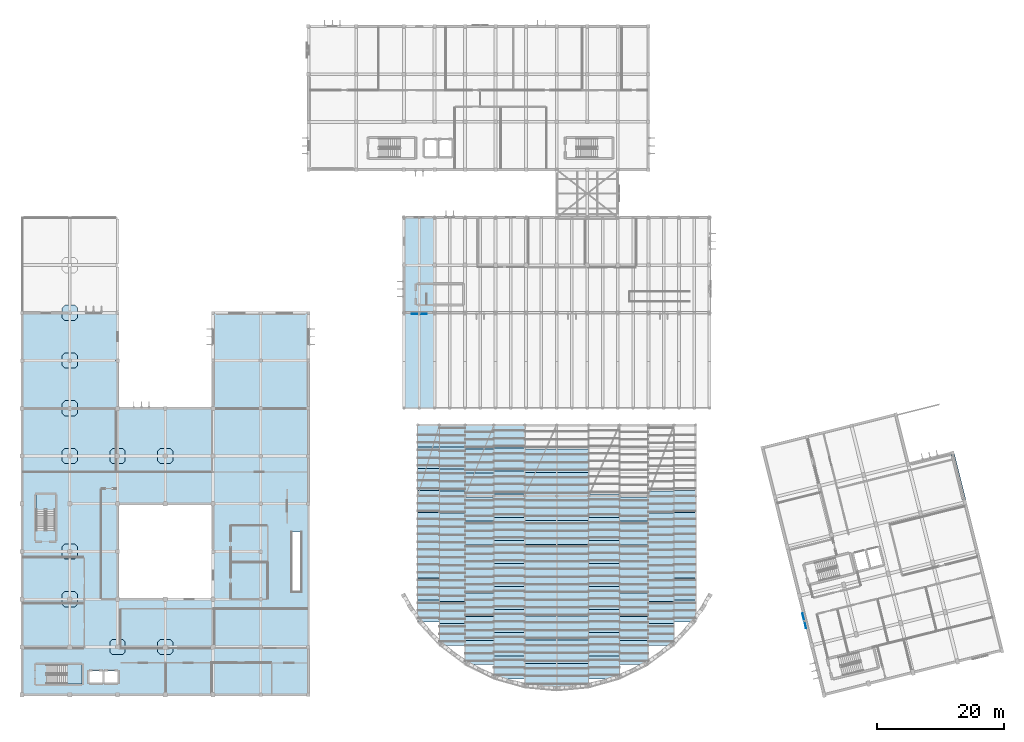
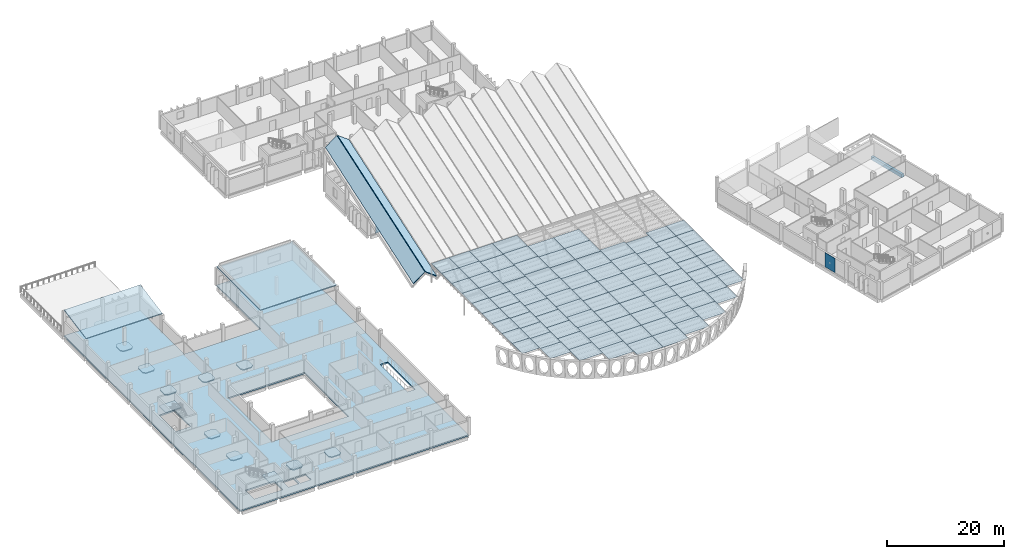
# One storey, part 19 of 47: 90 plates, 17 slabs, 1 beam, 2 elements without a shape of their own.
"""IFC4 building model written with IfcOpenShell, lengths in metres."""

from ifc_helpers import new_model, si_unit, direction, frame, origin, origin_2d, place, context, subcontext, project, spatial, polyline, rectangle, outline, extrude, material, layer, layer_set, material_profile, profile_set, type_object, element, aggregate, save


model = new_model("IFC4")

# Units and contexts
model_context = context("Model", 3, precision=1e-05, world=origin(), true_north=direction((0.0, 1.0)))
body_context = subcontext(model_context, "Body", "Model", "MODEL_VIEW")
ifc_project = project(units=[si_unit("LENGTHUNIT", "METRE"), si_unit("AREAUNIT", "SQUARE_METRE"), si_unit("VOLUMEUNIT", "CUBIC_METRE"), si_unit("PLANEANGLEUNIT", "RADIAN"), si_unit("MASSUNIT", "GRAM", prefix="KILO")], contexts=[model_context])

# Site, building, storey
site_placement = place(None, origin())
site = spatial("IfcSite", under=ifc_project, at=site_placement, CompositionType="ELEMENT")
building_placement = place(site_placement, origin())
building = spatial("IfcBuilding", under=site, at=building_placement, Name="Mawjan Specialist Oncology Clinic", CompositionType="ELEMENT")
storey_placement = place(building_placement, frame((0.0, 0.0, 9.5)))
storey = spatial("IfcBuildingStorey", under=building, at=storey_placement, Name="L02", CompositionType="ELEMENT", Elevation=9.5)

# Beam
ifc_material_1 = material(Name="Concrete C45/55", Category="concrete")
ifc_material_profile = material_profile(ifc_material_1, rectangle(XDim=0.5, YDim=0.699951171875, at=origin_2d()), Name="RC BM 500x700", Category="concrete")
ifc_profile_set = profile_set([ifc_material_profile], Name="Concrete C45/55")
beam_type = type_object("IfcBeamType", Name="SP-500x700", PredefinedType="SPANDREL", material=ifc_profile_set)
beam_placement = place(storey_placement, frame((148.08154296875, 31.282470703125, -0.64990234375), z_axis=(-0.241932910606, 0.97029297986, 0.0), x_axis=(-0.97029297986, -0.241932910606, 0.0)))
element("IfcBeam", 1, at=beam_placement, inside=storey, type_object=beam_type, Name="L02 Spandrel Beam BM-L02-0894", PredefinedType="SPANDREL", context=body_context, shape_type="SweptSolid", body=[
    extrude(rectangle(XDim=0.5, YDim=0.699951171875, at=origin_2d()), origin(), (0.0, 0.0, 1.0), 7.530029296875),
])

# Plates
ifc_material_2 = material(Name="Laminated solar-control safety glass", Category="glass")
ifc_layer_1 = layer(ifc_material_2, 0.028076171875, Name="Laminated solar-control safety glass", Category="glass")
ifc_layer_set_1 = layer_set([ifc_layer_1], Name="Laminated solar-control safety glass")
plate_type_1 = type_object("IfcPlateType", Name="CG-28", PredefinedType="SHEET", material=ifc_layer_set_1)
for number, where, z_axis, x_axis, name in (
    (2, (63.863037109375, 13.9560546875, 3.89990234375), (0.0, 0.0, 1.0), (1.0, 0.0, 0.0), "Canopy Laminated Glass Panel CG-001"),
    (3, (63.863037109375, 17.396484375, 3.89990234375), (0.0, 0.0, 1.0), (1.0, 0.0, 0.0), "Canopy Laminated Glass Panel CG-002"),
    (4, (63.863037109375, 20.8369140625, 3.89990234375), (0.0, 0.0, 1.0), (1.0, 0.0, 0.0), "Canopy Laminated Glass Panel CG-003"),
    (5, (63.863037109375, 24.27734375, 3.89990234375), (0.0, 0.0, 1.0), (1.0, 0.0, 0.0), "Canopy Laminated Glass Panel CG-004"),
    (6, (63.863037109375, 27.718017578125, 3.89990234375), (0.0, 0.0, 1.0), (1.0, 0.0, 0.0), "Canopy Laminated Glass Panel CG-005"),
    (7, (63.863037109375, 31.158447265625, 3.89990234375), (0.0, 0.0, 1.0), (1.0, 0.0, 0.0), "Canopy Laminated Glass Panel CG-006"),
    (8, (63.863037109375, 34.598876953125, 3.89990234375), (0.0, 0.0, 1.0), (1.0, 0.0, 0.0), "Canopy Laminated Glass Panel CG-007"),
    (9, (63.863037109375, 38.039306640625, 3.89990234375), (0.0, 0.0, 1.0), (1.0, 0.0, 0.0), "Canopy Laminated Glass Panel CG-008"),
    (10, (63.863037109375, 41.479736328125, 3.89990234375), (0.0, 0.0, 1.0), (1.0, 0.0, 0.0), "Canopy Laminated Glass Panel CG-009"),
):
    element("IfcPlate", number, at=place(storey_placement, frame(where, z_axis=z_axis, x_axis=x_axis)), inside=storey, type_object=plate_type_1, Name=name, PredefinedType="SHEET", context=body_context, shape_type="SweptSolid", body=[
        extrude(rectangle(XDim=3.4208984375, YDim=3.4404296875, at=origin_2d()), origin(), (0.0, 0.0, 1.0), 0.028076171875),
    ])
for number, where, z_axis, x_axis, name in (
    (11, (67.59228515625, 10.268310546875, 3.89990234375), (0.0, 0.0, 1.0), (1.0, 0.0, 0.0), "Canopy Laminated Glass Panel CG-010"),
    (12, (67.59228515625, 13.73486328125, 3.89990234375), (0.0, 0.0, 1.0), (1.0, 0.0, 0.0), "Canopy Laminated Glass Panel CG-011"),
    (13, (67.59228515625, 17.201416015625, 3.89990234375), (0.0, 0.0, 1.0), (1.0, 0.0, 0.0), "Canopy Laminated Glass Panel CG-012"),
    (14, (67.59228515625, 20.66796875, 3.89990234375), (0.0, 0.0, 1.0), (1.0, 0.0, 0.0), "Canopy Laminated Glass Panel CG-013"),
    (15, (67.59228515625, 24.13427734375, 3.89990234375), (0.0, 0.0, 1.0), (1.0, 0.0, 0.0), "Canopy Laminated Glass Panel CG-014"),
    (16, (67.59228515625, 27.600830078125, 3.89990234375), (0.0, 0.0, 1.0), (1.0, 0.0, 0.0), "Canopy Laminated Glass Panel CG-015"),
    (17, (67.59228515625, 31.0673828125, 3.89990234375), (0.0, 0.0, 1.0), (1.0, 0.0, 0.0), "Canopy Laminated Glass Panel CG-016"),
    (18, (67.59228515625, 34.53369140625, 3.89990234375), (0.0, 0.0, 1.0), (1.0, 0.0, 0.0), "Canopy Laminated Glass Panel CG-017"),
    (19, (67.59228515625, 38.000244140625, 3.89990234375), (0.0, 0.0, 1.0), (1.0, 0.0, 0.0), "Canopy Laminated Glass Panel CG-018"),
    (20, (67.59228515625, 41.466796875, 3.89990234375), (0.0, 0.0, 1.0), (1.0, 0.0, 0.0), "Canopy Laminated Glass Panel CG-019"),
):
    element("IfcPlate", number, at=place(storey_placement, frame(where, z_axis=z_axis, x_axis=x_axis)), inside=storey, type_object=plate_type_1, Name=name, PredefinedType="SHEET", context=body_context, shape_type="SweptSolid", body=[
        extrude(rectangle(XDim=4.0380859375, YDim=3.466552734375, at=origin_2d()), origin(), (0.0, 0.0, 1.0), 0.028076171875),
    ])
for number, where, z_axis, x_axis, name in (
    (21, (71.871337890625, 7.40380859375, 3.89990234375), (0.0, 0.0, 1.0), (1.0, 0.0, 0.0), "Canopy Laminated Glass Panel CG-020"),
    (22, (71.871337890625, 11.171875, 3.89990234375), (0.0, 0.0, 1.0), (1.0, 0.0, 0.0), "Canopy Laminated Glass Panel CG-021"),
    (23, (71.871337890625, 14.93994140625, 3.89990234375), (0.0, 0.0, 1.0), (1.0, 0.0, 0.0), "Canopy Laminated Glass Panel CG-022"),
    (24, (71.871337890625, 18.7080078125, 3.89990234375), (0.0, 0.0, 1.0), (1.0, 0.0, 0.0), "Canopy Laminated Glass Panel CG-023"),
    (25, (71.871337890625, 22.475830078125, 3.89990234375), (0.0, 0.0, 1.0), (1.0, 0.0, 0.0), "Canopy Laminated Glass Panel CG-024"),
    (26, (71.871337890625, 26.243896484375, 3.89990234375), (0.0, 0.0, 1.0), (1.0, 0.0, 0.0), "Canopy Laminated Glass Panel CG-025"),
    (27, (71.871337890625, 30.011962890625, 3.89990234375), (0.0, 0.0, 1.0), (1.0, 0.0, 0.0), "Canopy Laminated Glass Panel CG-026"),
    (28, (71.871337890625, 33.780029296875, 3.89990234375), (0.0, 0.0, 1.0), (1.0, 0.0, 0.0), "Canopy Laminated Glass Panel CG-027"),
    (29, (71.871337890625, 37.548095703125, 3.89990234375), (0.0, 0.0, 1.0), (1.0, 0.0, 0.0), "Canopy Laminated Glass Panel CG-028"),
    (30, (71.871337890625, 41.31591796875, 3.89990234375), (0.0, 0.0, 1.0), (1.0, 0.0, 0.0), "Canopy Laminated Glass Panel CG-029"),
):
    element("IfcPlate", number, at=place(storey_placement, frame(where, z_axis=z_axis, x_axis=x_axis)), inside=storey, type_object=plate_type_1, Name=name, PredefinedType="SHEET", context=body_context, shape_type="SweptSolid", body=[
        extrude(rectangle(XDim=4.519775390625, YDim=3.76806640625, at=origin_2d()), origin(), (0.0, 0.0, 1.0), 0.028076171875),
    ])
for number, where, z_axis, x_axis, name in (
    (31, (76.556396484375, 5.10498046875, 3.89990234375), (0.0, 0.0, 1.0), (1.0, 0.0, 0.0), "Canopy Laminated Glass Panel CG-030"),
    (32, (76.556396484375, 8.733154296875, 3.89990234375), (0.0, 0.0, 1.0), (1.0, 0.0, 0.0), "Canopy Laminated Glass Panel CG-031"),
    (33, (76.556396484375, 12.361083984375, 3.89990234375), (0.0, 0.0, 1.0), (1.0, 0.0, 0.0), "Canopy Laminated Glass Panel CG-032"),
    (34, (76.556396484375, 15.9892578125, 3.89990234375), (0.0, 0.0, 1.0), (1.0, 0.0, 0.0), "Canopy Laminated Glass Panel CG-033"),
    (35, (76.556396484375, 19.617431640625, 3.89990234375), (0.0, 0.0, 1.0), (1.0, 0.0, 0.0), "Canopy Laminated Glass Panel CG-034"),
    (36, (76.556396484375, 23.245361328125, 3.89990234375), (0.0, 0.0, 1.0), (1.0, 0.0, 0.0), "Canopy Laminated Glass Panel CG-035"),
    (37, (76.556396484375, 26.87353515625, 3.89990234375), (0.0, 0.0, 1.0), (1.0, 0.0, 0.0), "Canopy Laminated Glass Panel CG-036"),
    (38, (76.556396484375, 30.501708984375, 3.89990234375), (0.0, 0.0, 1.0), (1.0, 0.0, 0.0), "Canopy Laminated Glass Panel CG-037"),
    (39, (76.556396484375, 34.129638671875, 3.89990234375), (0.0, 0.0, 1.0), (1.0, 0.0, 0.0), "Canopy Laminated Glass Panel CG-038"),
    (40, (76.556396484375, 37.7578125, 3.89990234375), (0.0, 0.0, 1.0), (1.0, 0.0, 0.0), "Canopy Laminated Glass Panel CG-039"),
    (41, (76.556396484375, 41.385986328125, 3.89990234375), (0.0, 0.0, 1.0), (1.0, 0.0, 0.0), "Canopy Laminated Glass Panel CG-040"),
):
    element("IfcPlate", number, at=place(storey_placement, frame(where, z_axis=z_axis, x_axis=x_axis)), inside=storey, type_object=plate_type_1, Name=name, PredefinedType="SHEET", context=body_context, shape_type="SweptSolid", body=[
        extrude(rectangle(XDim=4.850341796875, YDim=3.628173828125, at=origin_2d()), origin(), (0.0, 0.0, 1.0), 0.028076171875),
    ])
for number, where, z_axis, x_axis, name in (
    (42, (81.49072265625, 3.79931640625, 3.89990234375), (0.0, 0.0, 1.0), (1.0, 0.0, 0.0), "Canopy Laminated Glass Panel CG-041"),
    (43, (81.49072265625, 7.5517578125, 3.89990234375), (0.0, 0.0, 1.0), (1.0, 0.0, 0.0), "Canopy Laminated Glass Panel CG-042"),
    (44, (81.49072265625, 11.30419921875, 3.89990234375), (0.0, 0.0, 1.0), (1.0, 0.0, 0.0), "Canopy Laminated Glass Panel CG-043"),
    (45, (81.49072265625, 15.056640625, 3.89990234375), (0.0, 0.0, 1.0), (1.0, 0.0, 0.0), "Canopy Laminated Glass Panel CG-044"),
    (46, (81.49072265625, 18.80908203125, 3.89990234375), (0.0, 0.0, 1.0), (1.0, 0.0, 0.0), "Canopy Laminated Glass Panel CG-045"),
    (47, (81.49072265625, 22.5615234375, 3.89990234375), (0.0, 0.0, 1.0), (1.0, 0.0, 0.0), "Canopy Laminated Glass Panel CG-046"),
    (48, (81.49072265625, 26.31396484375, 3.89990234375), (0.0, 0.0, 1.0), (1.0, 0.0, 0.0), "Canopy Laminated Glass Panel CG-047"),
    (49, (81.49072265625, 30.06640625, 3.89990234375), (0.0, 0.0, 1.0), (1.0, 0.0, 0.0), "Canopy Laminated Glass Panel CG-048"),
    (50, (81.49072265625, 33.81884765625, 3.89990234375), (0.0, 0.0, 1.0), (1.0, 0.0, 0.0), "Canopy Laminated Glass Panel CG-049"),
    (51, (81.49072265625, 37.5712890625, 3.89990234375), (0.0, 0.0, 1.0), (1.0, 0.0, 0.0), "Canopy Laminated Glass Panel CG-050"),
    (52, (86.50927734375, 3.79931640625, 3.89990234375), (0.0, 0.0, 1.0), (1.0, 0.0, 0.0), "Canopy Laminated Glass Panel CG-052"),
    (53, (86.50927734375, 7.5517578125, 3.89990234375), (0.0, 0.0, 1.0), (1.0, 0.0, 0.0), "Canopy Laminated Glass Panel CG-053"),
    (54, (86.50927734375, 11.30419921875, 3.89990234375), (0.0, 0.0, 1.0), (1.0, 0.0, 0.0), "Canopy Laminated Glass Panel CG-054"),
    (55, (86.50927734375, 15.056640625, 3.89990234375), (0.0, 0.0, 1.0), (1.0, 0.0, 0.0), "Canopy Laminated Glass Panel CG-055"),
    (56, (86.50927734375, 18.80908203125, 3.89990234375), (0.0, 0.0, 1.0), (1.0, 0.0, 0.0), "Canopy Laminated Glass Panel CG-056"),
    (57, (86.50927734375, 22.5615234375, 3.89990234375), (0.0, 0.0, 1.0), (1.0, 0.0, 0.0), "Canopy Laminated Glass Panel CG-057"),
    (58, (86.50927734375, 26.31396484375, 3.89990234375), (0.0, 0.0, 1.0), (1.0, 0.0, 0.0), "Canopy Laminated Glass Panel CG-058"),
    (59, (86.50927734375, 30.06640625, 3.89990234375), (0.0, 0.0, 1.0), (1.0, 0.0, 0.0), "Canopy Laminated Glass Panel CG-059"),
    (60, (86.50927734375, 33.81884765625, 3.89990234375), (0.0, 0.0, 1.0), (1.0, 0.0, 0.0), "Canopy Laminated Glass Panel CG-060"),
    (61, (86.50927734375, 37.5712890625, 3.89990234375), (0.0, 0.0, 1.0), (1.0, 0.0, 0.0), "Canopy Laminated Glass Panel CG-061"),
):
    element("IfcPlate", number, at=place(storey_placement, frame(where, z_axis=z_axis, x_axis=x_axis)), inside=storey, type_object=plate_type_1, Name=name, PredefinedType="SHEET", context=body_context, shape_type="SweptSolid", body=[
        extrude(rectangle(XDim=5.018310546875, YDim=3.75244140625, at=origin_2d()), origin(), (0.0, 0.0, 1.0), 0.028076171875),
    ])
for number, where, z_axis, x_axis, name in (
    (62, (91.443603515625, 5.10498046875, 3.89990234375), (0.0, 0.0, 1.0), (1.0, 0.0, 0.0), "Canopy Laminated Glass Panel CG-063"),
    (63, (91.443603515625, 8.733154296875, 3.89990234375), (0.0, 0.0, 1.0), (1.0, 0.0, 0.0), "Canopy Laminated Glass Panel CG-064"),
    (64, (91.443603515625, 12.361083984375, 3.89990234375), (0.0, 0.0, 1.0), (1.0, 0.0, 0.0), "Canopy Laminated Glass Panel CG-065"),
    (65, (91.443603515625, 15.9892578125, 3.89990234375), (0.0, 0.0, 1.0), (1.0, 0.0, 0.0), "Canopy Laminated Glass Panel CG-066"),
    (66, (91.443603515625, 19.617431640625, 3.89990234375), (0.0, 0.0, 1.0), (1.0, 0.0, 0.0), "Canopy Laminated Glass Panel CG-067"),
    (67, (91.443603515625, 23.245361328125, 3.89990234375), (0.0, 0.0, 1.0), (1.0, 0.0, 0.0), "Canopy Laminated Glass Panel CG-068"),
    (68, (91.443603515625, 26.87353515625, 3.89990234375), (0.0, 0.0, 1.0), (1.0, 0.0, 0.0), "Canopy Laminated Glass Panel CG-069"),
    (69, (91.443603515625, 30.501708984375, 3.89990234375), (0.0, 0.0, 1.0), (1.0, 0.0, 0.0), "Canopy Laminated Glass Panel CG-070"),
):
    element("IfcPlate", number, at=place(storey_placement, frame(where, z_axis=z_axis, x_axis=x_axis)), inside=storey, type_object=plate_type_1, Name=name, PredefinedType="SHEET", context=body_context, shape_type="SweptSolid", body=[
        extrude(rectangle(XDim=4.850341796875, YDim=3.628173828125, at=origin_2d()), origin(), (0.0, 0.0, 1.0), 0.028076171875),
    ])
for number, where, z_axis, x_axis, name in (
    (70, (96.128662109375, 7.40380859375, 3.89990234375), (0.0, 0.0, 1.0), (1.0, 0.0, 0.0), "Canopy Laminated Glass Panel CG-074"),
    (71, (96.128662109375, 11.171875, 3.89990234375), (0.0, 0.0, 1.0), (1.0, 0.0, 0.0), "Canopy Laminated Glass Panel CG-075"),
    (72, (96.128662109375, 14.93994140625, 3.89990234375), (0.0, 0.0, 1.0), (1.0, 0.0, 0.0), "Canopy Laminated Glass Panel CG-076"),
    (73, (96.128662109375, 18.7080078125, 3.89990234375), (0.0, 0.0, 1.0), (1.0, 0.0, 0.0), "Canopy Laminated Glass Panel CG-077"),
    (74, (96.128662109375, 22.475830078125, 3.89990234375), (0.0, 0.0, 1.0), (1.0, 0.0, 0.0), "Canopy Laminated Glass Panel CG-078"),
    (75, (96.128662109375, 26.243896484375, 3.89990234375), (0.0, 0.0, 1.0), (1.0, 0.0, 0.0), "Canopy Laminated Glass Panel CG-079"),
    (76, (96.128662109375, 30.011962890625, 3.89990234375), (0.0, 0.0, 1.0), (1.0, 0.0, 0.0), "Canopy Laminated Glass Panel CG-080"),
):
    element("IfcPlate", number, at=place(storey_placement, frame(where, z_axis=z_axis, x_axis=x_axis)), inside=storey, type_object=plate_type_1, Name=name, PredefinedType="SHEET", context=body_context, shape_type="SweptSolid", body=[
        extrude(rectangle(XDim=4.519775390625, YDim=3.76806640625, at=origin_2d()), origin(), (0.0, 0.0, 1.0), 0.028076171875),
    ])
for number, where, z_axis, x_axis, name in (
    (77, (100.40771484375, 10.268310546875, 3.89990234375), (0.0, 0.0, 1.0), (1.0, 0.0, 0.0), "Canopy Laminated Glass Panel CG-084"),
    (78, (100.40771484375, 13.73486328125, 3.89990234375), (0.0, 0.0, 1.0), (1.0, 0.0, 0.0), "Canopy Laminated Glass Panel CG-085"),
    (79, (100.40771484375, 17.201416015625, 3.89990234375), (0.0, 0.0, 1.0), (1.0, 0.0, 0.0), "Canopy Laminated Glass Panel CG-086"),
    (80, (100.40771484375, 20.66796875, 3.89990234375), (0.0, 0.0, 1.0), (1.0, 0.0, 0.0), "Canopy Laminated Glass Panel CG-087"),
    (81, (100.40771484375, 24.13427734375, 3.89990234375), (0.0, 0.0, 1.0), (1.0, 0.0, 0.0), "Canopy Laminated Glass Panel CG-088"),
    (82, (100.40771484375, 27.600830078125, 3.89990234375), (0.0, 0.0, 1.0), (1.0, 0.0, 0.0), "Canopy Laminated Glass Panel CG-089"),
    (83, (100.40771484375, 31.0673828125, 3.89990234375), (0.0, 0.0, 1.0), (1.0, 0.0, 0.0), "Canopy Laminated Glass Panel CG-090"),
):
    element("IfcPlate", number, at=place(storey_placement, frame(where, z_axis=z_axis, x_axis=x_axis)), inside=storey, type_object=plate_type_1, Name=name, PredefinedType="SHEET", context=body_context, shape_type="SweptSolid", body=[
        extrude(rectangle(XDim=4.0380859375, YDim=3.466552734375, at=origin_2d()), origin(), (0.0, 0.0, 1.0), 0.028076171875),
    ])
for number, where, z_axis, x_axis, name in (
    (84, (104.136962890625, 13.9560546875, 3.89990234375), (0.0, 0.0, 1.0), (1.0, 0.0, 0.0), "Canopy Laminated Glass Panel CG-094"),
    (85, (104.136962890625, 17.396484375, 3.89990234375), (0.0, 0.0, 1.0), (1.0, 0.0, 0.0), "Canopy Laminated Glass Panel CG-095"),
    (86, (104.136962890625, 20.8369140625, 3.89990234375), (0.0, 0.0, 1.0), (1.0, 0.0, 0.0), "Canopy Laminated Glass Panel CG-096"),
    (87, (104.136962890625, 24.27734375, 3.89990234375), (0.0, 0.0, 1.0), (1.0, 0.0, 0.0), "Canopy Laminated Glass Panel CG-097"),
    (88, (104.136962890625, 27.718017578125, 3.89990234375), (0.0, 0.0, 1.0), (1.0, 0.0, 0.0), "Canopy Laminated Glass Panel CG-098"),
    (89, (104.136962890625, 31.158447265625, 3.89990234375), (0.0, 0.0, 1.0), (1.0, 0.0, 0.0), "Canopy Laminated Glass Panel CG-099"),
):
    element("IfcPlate", number, at=place(storey_placement, frame(where, z_axis=z_axis, x_axis=x_axis)), inside=storey, type_object=plate_type_1, Name=name, PredefinedType="SHEET", context=body_context, shape_type="SweptSolid", body=[
        extrude(rectangle(XDim=3.4208984375, YDim=3.4404296875, at=origin_2d()), origin(), (0.0, 0.0, 1.0), 0.028076171875),
    ])

# Slabs
ifc_material_3 = material(Name="Concrete C35/45", Category="concrete")
ifc_layer_2 = layer(ifc_material_3, 0.219970703125, Name="Concrete C35/45", Category="concrete")
ifc_layer_set_2 = layer_set([ifc_layer_2], Name="Concrete C35/45")
slab_type_1 = type_object("IfcSlabType", Name="DP-220", PredefinedType="FLOOR", material=ifc_layer_set_2)
slab_1_placement = place(storey_placement, frame((0.0, 0.0, -0.52001953125)))
element("IfcSlab", 90, at=slab_1_placement, inside=storey, type_object=slab_type_1, Name="L02 Octagonal Column Drop Panel DP-L02-002", PredefinedType="FLOOR", context=body_context, shape_type="SweptSolid", body=[
    extrude(outline(polyline([(6.719970703125, 14.60009765625), (8.280029296875, 14.60009765625), (8.699951171875, 15.02001953125), (8.699951171875, 16.580078125), (8.280029296875, 17.0), (6.719970703125, 17.0), (6.300048828125, 16.580078125), (6.300048828125, 15.02001953125), (6.719970703125, 14.60009765625)])), origin(), (0.0, 0.0, 1.0), 0.219970703125),
])
slab_2_placement = place(storey_placement, frame((0.0, 0.0, -0.52001953125)))
element("IfcSlab", 91, at=slab_2_placement, inside=storey, type_object=slab_type_1, Name="L02 Octagonal Column Drop Panel DP-L02-007", PredefinedType="FLOOR", context=body_context, shape_type="SweptSolid", body=[
    extrude(outline(polyline([(6.719970703125, 22.10009765625), (8.280029296875, 22.10009765625), (8.699951171875, 22.52001953125), (8.699951171875, 24.080078125), (8.280029296875, 24.5), (6.719970703125, 24.5), (6.300048828125, 24.080078125), (6.300048828125, 22.52001953125), (6.719970703125, 22.10009765625)])), origin(), (0.0, 0.0, 1.0), 0.219970703125),
])
slab_3_placement = place(storey_placement, frame((0.0, 0.0, -0.52001953125)))
element("IfcSlab", 92, at=slab_3_placement, inside=storey, type_object=slab_type_1, Name="L02 Octagonal Column Drop Panel DP-L02-012", PredefinedType="FLOOR", context=body_context, shape_type="SweptSolid", body=[
    extrude(outline(polyline([(6.719970703125, 37.10009765625), (8.280029296875, 37.10009765625), (8.699951171875, 37.52001953125), (8.699951171875, 39.080078125), (8.280029296875, 39.5), (6.719970703125, 39.5), (6.300048828125, 39.080078125), (6.300048828125, 37.52001953125), (6.719970703125, 37.10009765625)])), origin(), (0.0, 0.0, 1.0), 0.219970703125),
])
slab_4_placement = place(storey_placement, frame((0.0, 0.0, -0.52001953125)))
element("IfcSlab", 93, at=slab_4_placement, inside=storey, type_object=slab_type_1, Name="L02 Octagonal Column Drop Panel DP-L02-016", PredefinedType="FLOOR", context=body_context, shape_type="SweptSolid", body=[
    extrude(outline(polyline([(6.719970703125, 44.60009765625), (8.280029296875, 44.60009765625), (8.699951171875, 45.02001953125), (8.699951171875, 46.580078125), (8.280029296875, 47.0), (6.719970703125, 47.0), (6.300048828125, 46.580078125), (6.300048828125, 45.02001953125), (6.719970703125, 44.60009765625)])), origin(), (0.0, 0.0, 1.0), 0.219970703125),
])
slab_5_placement = place(storey_placement, frame((0.0, 0.0, -0.52001953125)))
element("IfcSlab", 94, at=slab_5_placement, inside=storey, type_object=slab_type_1, Name="L02 Octagonal Column Drop Panel DP-L02-019", PredefinedType="FLOOR", context=body_context, shape_type="SweptSolid", body=[
    extrude(outline(polyline([(6.719970703125, 52.10009765625), (8.280029296875, 52.10009765625), (8.699951171875, 52.52001953125), (8.699951171875, 54.080078125), (8.280029296875, 54.5), (6.719970703125, 54.5), (6.300048828125, 54.080078125), (6.300048828125, 52.52001953125), (6.719970703125, 52.10009765625)])), origin(), (0.0, 0.0, 1.0), 0.219970703125),
])
slab_6_placement = place(storey_placement, frame((0.0, 0.0, -0.52001953125)))
element("IfcSlab", 95, at=slab_6_placement, inside=storey, type_object=slab_type_1, Name="L02 Octagonal Column Drop Panel DP-L02-021", PredefinedType="FLOOR", context=body_context, shape_type="SweptSolid", body=[
    extrude(outline(polyline([(6.719970703125, 59.60009765625), (8.280029296875, 59.60009765625), (8.699951171875, 60.02001953125), (8.699951171875, 61.580078125), (8.280029296875, 62.0), (6.719970703125, 62.0), (6.300048828125, 61.580078125), (6.300048828125, 60.02001953125), (6.719970703125, 59.60009765625)])), origin(), (0.0, 0.0, 1.0), 0.219970703125),
])
slab_7_placement = place(storey_placement, frame((0.0, 0.0, -0.52001953125)))
element("IfcSlab", 96, at=slab_7_placement, inside=storey, type_object=slab_type_1, Name="L02 Octagonal Column Drop Panel DP-L02-025", PredefinedType="FLOOR", context=body_context, shape_type="SweptSolid", body=[
    extrude(outline(polyline([(14.219970703125, 7.10009765625), (15.780029296875, 7.10009765625), (16.199951171875, 7.52001953125), (16.199951171875, 9.080078125), (15.780029296875, 9.5), (14.219970703125, 9.5), (13.800048828125, 9.080078125), (13.800048828125, 7.52001953125), (14.219970703125, 7.10009765625)])), origin(), (0.0, 0.0, 1.0), 0.219970703125),
])
slab_8_placement = place(storey_placement, frame((0.0, 0.0, -0.52001953125)))
element("IfcSlab", 97, at=slab_8_placement, inside=storey, type_object=slab_type_1, Name="L02 Octagonal Column Drop Panel DP-L02-030", PredefinedType="FLOOR", context=body_context, shape_type="SweptSolid", body=[
    extrude(outline(polyline([(14.219970703125, 37.10009765625), (15.780029296875, 37.10009765625), (16.199951171875, 37.52001953125), (16.199951171875, 39.080078125), (15.780029296875, 39.5), (14.219970703125, 39.5), (13.800048828125, 39.080078125), (13.800048828125, 37.52001953125), (14.219970703125, 37.10009765625)])), origin(), (0.0, 0.0, 1.0), 0.219970703125),
])
slab_9_placement = place(storey_placement, frame((0.0, 0.0, -0.52001953125)))
element("IfcSlab", 98, at=slab_9_placement, inside=storey, type_object=slab_type_1, Name="L02 Octagonal Column Drop Panel DP-L02-038", PredefinedType="FLOOR", context=body_context, shape_type="SweptSolid", body=[
    extrude(outline(polyline([(21.719970703125, 7.10009765625), (23.280029296875, 7.10009765625), (23.699951171875, 7.52001953125), (23.699951171875, 9.080078125), (23.280029296875, 9.5), (21.719970703125, 9.5), (21.300048828125, 9.080078125), (21.300048828125, 7.52001953125), (21.719970703125, 7.10009765625)])), origin(), (0.0, 0.0, 1.0), 0.219970703125),
])
slab_10_placement = place(storey_placement, frame((0.0, 0.0, -0.52001953125)))
element("IfcSlab", 99, at=slab_10_placement, inside=storey, type_object=slab_type_1, Name="L02 Octagonal Column Drop Panel DP-L02-043", PredefinedType="FLOOR", context=body_context, shape_type="SweptSolid", body=[
    extrude(outline(polyline([(21.719970703125, 37.10009765625), (23.280029296875, 37.10009765625), (23.699951171875, 37.52001953125), (23.699951171875, 39.080078125), (23.280029296875, 39.5), (21.719970703125, 39.5), (21.300048828125, 39.080078125), (21.300048828125, 37.52001953125), (21.719970703125, 37.10009765625)])), origin(), (0.0, 0.0, 1.0), 0.219970703125),
])
ifc_material_4 = material(Name="Concrete C35/45", Category="concrete")
ifc_layer_3 = layer(ifc_material_4, 0.300048828125, Name="Concrete C35/45", Category="concrete")
ifc_layer_set_3 = layer_set([ifc_layer_3], Name="Concrete C35/45")
slab_type_2 = type_object("IfcSlabType", Name="FS-300", PredefinedType="FLOOR", material=ifc_layer_set_3)
slab_11_placement = place(storey_placement, frame((0.0, 0.0, -0.300048828125)))
element("IfcSlab", 100, at=slab_11_placement, inside=storey, type_object=slab_type_2, Name="L02 Outpatient Consulting Courts Wing Slab SLB-V4-L02", PredefinedType="FLOOR", context=body_context, shape_type="SweptSolid", body=[
    extrude(outline(polyline([(0.0, 0.800048828125), (45.0, 0.800048828125), (45.0, 60.800048828125), (30.0, 60.800048828125), (30.0, 45.800048828125), (15.0, 45.800048828125), (15.0, 60.800048828125), (0.0, 60.800048828125), (0.0, 0.800048828125)]), holes=[polyline([(15.0, 15.800048828125), (30.0, 15.800048828125), (30.0, 30.800048828125), (15.0, 30.800048828125), (15.0, 15.800048828125)]), polyline([(3.800048828125, 2.5), (9.39990234375, 2.5), (9.39990234375, 5.5), (3.800048828125, 5.5), (3.800048828125, 2.5)]), polyline([(10.550048828125, 2.64990234375), (12.64990234375, 2.64990234375), (12.64990234375, 4.550048828125), (10.550048828125, 4.550048828125), (10.550048828125, 2.64990234375)]), polyline([(12.949951171875, 2.64990234375), (15.050048828125, 2.64990234375), (15.050048828125, 4.550048828125), (12.949951171875, 4.550048828125), (12.949951171875, 2.64990234375)]), polyline([(5.199951171875, 26.60009765625), (5.199951171875, 32.199951171875), (2.199951171875, 32.199951171875), (2.199951171875, 26.60009765625), (5.199951171875, 26.60009765625)]), polyline([(42.375, 17.0), (43.824951171875, 17.0), (43.824951171875, 26.39990234375), (42.375, 26.39990234375), (42.375, 17.0)])]), origin(), (0.0, 0.0, 1.0), 0.300048828125),
])

# Stair, slab
ifc_material_5 = material(Name="Concrete C35/45", Category="concrete")
stair_type = type_object("IfcStairType", Name="STR-CORE40", PredefinedType="HALF_TURN_STAIR", material=ifc_material_5)
stair_1_placement = place(storey_placement, origin())
stair_1 = element("IfcStair", 101, at=stair_1_placement, inside=storey, type_object=stair_type, Name="L02 Exit Stair ST-01", PredefinedType="HALF_TURN_STAIR")
ifc_material_6 = material(Name="Concrete C35/45", Category="concrete")
ifc_layer_4 = layer(ifc_material_6, 0.199951171875, Name="Concrete C35/45", Category="concrete")
ifc_layer_set_4 = layer_set([ifc_layer_4], Name="Concrete C35/45")
slab_type_3 = type_object("IfcSlabType", Name="LND-200", PredefinedType="LANDING", material=ifc_layer_set_4)
slab_12_placement = place(storey_placement, frame((0.0, 0.0, 1.800048828125)))
slab_12 = element("IfcSlab", 102, at=slab_12_placement, type_object=slab_type_3, Name="ST-01 landing 1", PredefinedType="LANDING", context=body_context, shape_type="SweptSolid", body=[
    extrude(outline(polyline([(7.0634765625, 2.452392578125), (9.4365234375, 2.452392578125), (9.4365234375, 5.547607421875), (7.0634765625, 5.547607421875), (7.0634765625, 2.452392578125)])), origin(), (0.0, 0.0, 1.0), 0.199951171875),
])
aggregate(stair_1, [slab_12])

stair_2_placement = place(storey_placement, origin())
stair_2 = element("IfcStair", 103, at=stair_2_placement, inside=storey, type_object=stair_type, Name="L02 Exit Stair ST-02", PredefinedType="HALF_TURN_STAIR")
slab_13_placement = place(storey_placement, frame((0.0, 0.0, 1.800048828125)))
slab_13 = element("IfcSlab", 104, at=slab_13_placement, type_object=slab_type_3, Name="ST-02 landing 1", PredefinedType="LANDING", context=body_context, shape_type="SweptSolid", body=[
    extrude(outline(polyline([(5.24755859375, 29.863525390625), (5.24755859375, 32.236572265625), (2.15234375, 32.236572265625), (2.15234375, 29.863525390625), (5.24755859375, 29.863525390625)])), origin(), (0.0, 0.0, 1.0), 0.199951171875),
])
aggregate(stair_2, [slab_13])

# Slabs
ifc_material_7 = material(Name="Concrete C45/55", Category="concrete")
ifc_layer_5 = layer(ifc_material_7, 0.179931640625, Name="Concrete C45/55", Category="concrete")
ifc_layer_set_5 = layer_set([ifc_layer_5], Name="Concrete C45/55")
slab_type_4 = type_object("IfcSlabType", Name="RF-FP180", PredefinedType="ROOF", material=ifc_layer_set_5)
slab_14_placement = place(storey_placement, frame((60.080078125, 45.800048828125, -1.139892578125), z_axis=(-0.578923655714, -0.262472488193, 0.77198160198), x_axis=(0.800031111726, 0.0, 0.599958515458)))
element("IfcSlab", 105, at=slab_14_placement, inside=storey, type_object=slab_type_4, Name="Folded-Plate Roof Pleat 1 West Facet", PredefinedType="ROOF", context=body_context, shape_type="SweptSolid", body=[
    extrude(outline(polyline([(0.0, 0.0), (2.8249023475479493, 0.0), (8.944449910374905, 31.090032832644823), (6.119547562826955, 31.090032832644823), (0.0, 0.0)])), origin(), (0.0, 0.0, -1.0), 0.179931640625),
])
slab_15_placement = place(storey_placement, frame((62.4599609375, 45.800048828125, 0.554931640625), z_axis=(0.578923655714, -0.262472488193, 0.77198160198), x_axis=(0.800031111726, 0.0, -0.599958515458)))
element("IfcSlab", 106, at=slab_15_placement, inside=storey, type_object=slab_type_4, Name="Folded-Plate Roof Pleat 1 East Facet", PredefinedType="ROOF", context=body_context, shape_type="SweptSolid", body=[
    extrude(outline(polyline([(0.0, 0.0), (2.8249023475479493, 0.0), (-3.2946452152790053, 31.090032832644823), (-6.119547562826955, 31.090032832644823), (0.0, 0.0)])), origin(), (0.0, 0.0, -1.0), 0.179931640625),
])
ifc_material_8 = material(Name="Concrete C35/45", Category="concrete")
ifc_layer_6 = layer(ifc_material_8, 0.199951171875, Name="Concrete C35/45", Category="concrete")
ifc_layer_set_6 = layer_set([ifc_layer_6], Name="Concrete C35/45")
slab_type_5 = type_object("IfcSlabType", Name="RF-OVR200", PredefinedType="ROOF", material=ifc_layer_set_6)
slab_16_placement = place(storey_placement, frame((0.0, 0.0, 3.699951171875)))
element("IfcSlab", 107, at=slab_16_placement, inside=storey, type_object=slab_type_5, Name="Outpatient L02 North-East Step-Back Roof Deck", PredefinedType="ROOF", context=body_context, shape_type="SweptSolid", body=[
    extrude(outline(polyline([(30.0, 45.820068359375), (45.0, 45.820068359375), (45.0, 60.800048828125), (30.0, 60.800048828125), (30.0, 45.820068359375)])), origin(), (0.0, 0.0, 1.0), 0.199951171875),
])
ifc_material_9 = material(Name="Concrete C35/45", Category="concrete")
ifc_layer_7 = layer(ifc_material_9, 0.219970703125, Name="Concrete C35/45", Category="concrete")
ifc_layer_set_7 = layer_set([ifc_layer_7], Name="Concrete C35/45")
slab_type_6 = type_object("IfcSlabType", Name="RF-SLP220", PredefinedType="ROOF", material=ifc_layer_set_7)
slab_17_placement = place(storey_placement, frame((0.0, 53.320068359375, 3.929931640625), z_axis=(0.0, -0.187798548502, 0.982207567259), x_axis=(1.0, 0.0, 0.0)))
element("IfcSlab", 108, at=slab_17_placement, inside=storey, type_object=slab_type_6, Name="Outpatient Wing L02 North Step-Back Sloped Roof", PredefinedType="ROOF", context=body_context, shape_type="SweptSolid", body=[
    extrude(outline(polyline([(0.0, 0.0), (15.0, 0.0), (15.0, 7.615478355176089), (0.0, 7.615478355176089), (0.0, 0.0)])), origin(), (0.0, 0.0, -1.0), 0.219970703125),
])

# Plates
ifc_material_10 = material(Name="Perforated coral-toned GFRC rawshan screen", Category="stone")
ifc_layer_8 = layer(ifc_material_10, 0.06005859375, Name="Perforated coral-toned GFRC rawshan screen", Category="stone")
ifc_layer_set_8 = layer_set([ifc_layer_8], Name="Perforated coral-toned GFRC rawshan screen")
plate_type_2 = type_object("IfcPlateType", Name="RWS-60", PredefinedType="SHEET", material=ifc_layer_set_8)
plate_1_placement = place(storey_placement, frame((122.90576171875, 12.39599609375, 0.0), z_axis=(0.0, 0.0, 1.0), x_axis=(-0.2419218956, 0.970295726276, 0.0)))
element("IfcPlate", 109, at=plate_1_placement, inside=storey, type_object=plate_type_2, Name="L02 Perforated Rawshan Screen Panel 004", PredefinedType="SHEET", context=body_context, shape_type="SweptSolid", body=[
    extrude(rectangle(XDim=2.39990234375, YDim=0.06005859375, at=origin_2d()), origin(), (0.0, 0.0, 1.0), 2.985107421875),
])
ifc_material_11 = material(Name="Perforated coral-toned GFRC rawshan screen", Category="stone")
ifc_layer_9 = layer(ifc_material_11, 0.074951171875, Name="Perforated coral-toned GFRC rawshan screen", Category="stone")
ifc_layer_set_9 = layer_set([ifc_layer_9], Name="Perforated coral-toned GFRC rawshan screen")
plate_type_3 = type_object("IfcPlateType", Name="RWS-75", PredefinedType="SHEET", material=ifc_layer_set_9)
plate_2_placement = place(storey_placement, frame((62.39990234375, 60.595458984375, 0.0), z_axis=(0.0, 0.0, 1.0), x_axis=(-1.0, 0.0, 0.0)))
element("IfcPlate", 110, at=plate_2_placement, inside=storey, type_object=plate_type_3, Name="L02 Perforated Rawshan Screen Panel 009", PredefinedType="SHEET", context=body_context, shape_type="SweptSolid", body=[
    extrude(rectangle(XDim=2.39990234375, YDim=0.074951171875, at=origin_2d()), origin(), (0.0, 0.0, 1.0), 2.994384765625),
])

save(model, "model.ifc")
